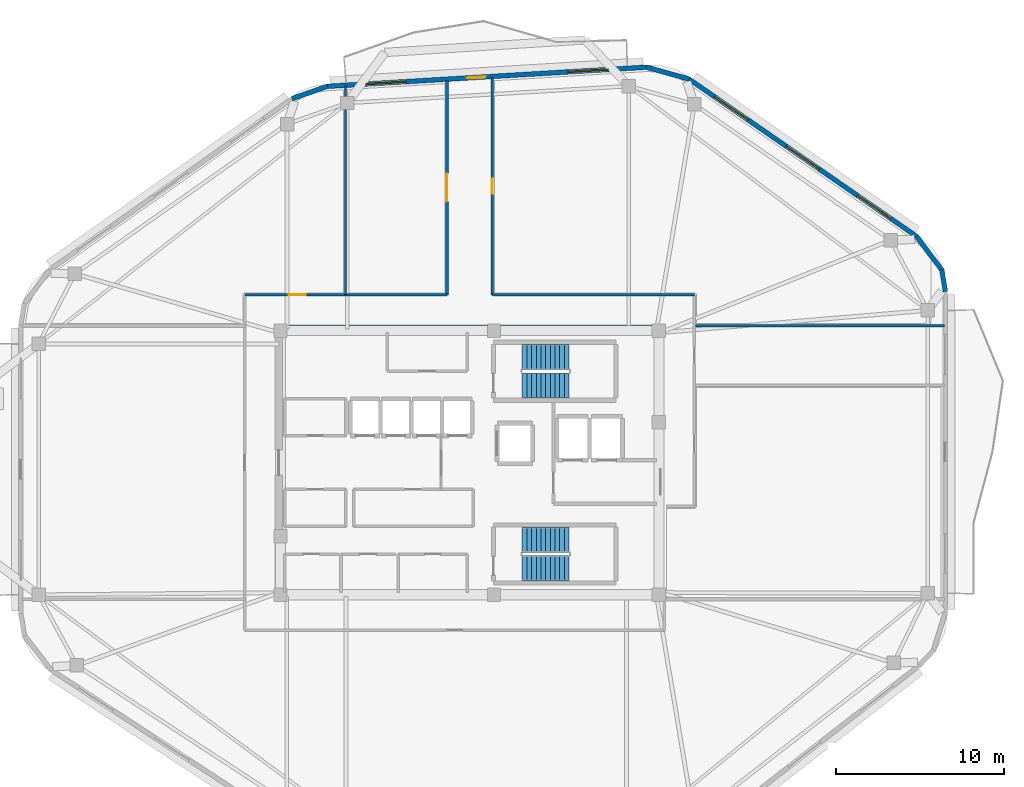
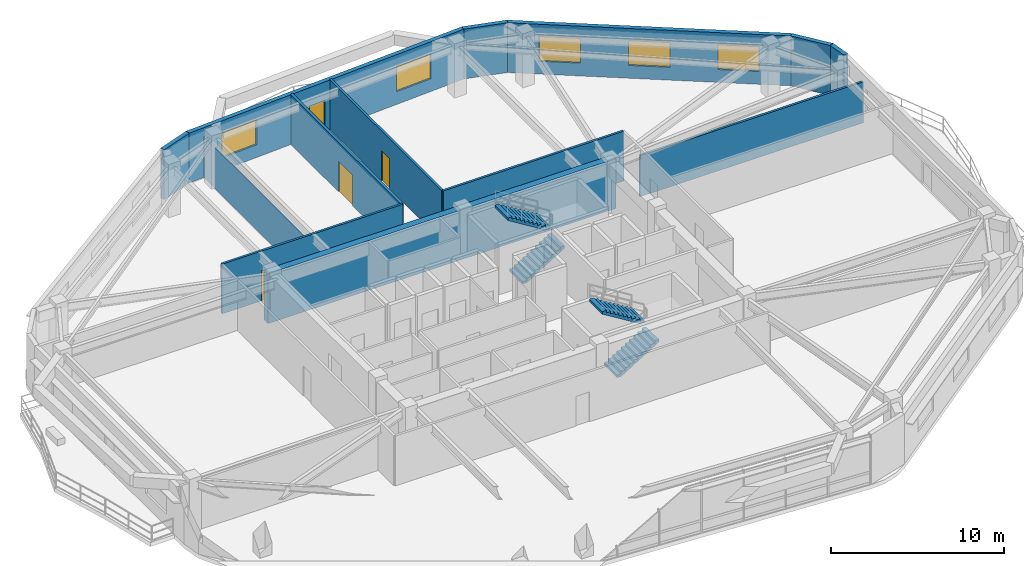
# One storey, part 9 of 12: 13 walls, 5 windows, 4 doors, 4 stair flights, 9 openings, 2 elements without a shape of their own.
"""IFC4 building model written with IfcOpenShell, lengths in metres."""

from ifc_helpers import new_model, si_unit, direction, frame, frame_2d, origin, place, context, subcontext, project, spatial, polyline, rectangle, outline, extrude, material, layer, layer_set, type_object, element, fill, aggregate, save


model = new_model("IFC4")

# Units and contexts
model_context = context("Model", 3, precision=1e-05, world=origin(), true_north=direction((0.0, 1.0)))
body_context = subcontext(model_context, "Body", "Model", "MODEL_VIEW")
ifc_project = project(units=[si_unit("LENGTHUNIT", "METRE"), si_unit("AREAUNIT", "SQUARE_METRE"), si_unit("VOLUMEUNIT", "CUBIC_METRE"), si_unit("PLANEANGLEUNIT", "RADIAN"), si_unit("MASSUNIT", "GRAM", prefix="KILO")], contexts=[model_context])

# Site, building, storey
site_placement = place(None, origin())
site = spatial("IfcSite", under=ifc_project, at=site_placement, CompositionType="ELEMENT")
building_placement = place(site_placement, origin())
building = spatial("IfcBuilding", under=site, at=building_placement, Name="Zulverin Broadcast Headquarters", CompositionType="ELEMENT")
storey_placement = place(building_placement, frame((0.0, 0.0, 255.39990234375)))
storey = spatial("IfcBuildingStorey", under=building, at=storey_placement, Name="L65", CompositionType="ELEMENT", Elevation=255.39990234375)

# Wall
ifc_material_1 = material(Name="Concrete C50/60", Category="concrete")
ifc_layer_1 = layer(ifc_material_1, 0.449951171875, Name="Concrete C50/60", Category="concrete")
ifc_layer_set_1 = layer_set([ifc_layer_1], Name="Concrete C50/60")
wall_type_1 = type_object("IfcWallType", Name="WL-CORE-450", PredefinedType="SHEAR", material=ifc_layer_set_1)
wall_1_placement = place(storey_placement, frame((25.39990234375, 33.175048828125, 0.0), z_axis=(0.0, 0.0, 1.0), x_axis=(1.0, 0.0, 0.0)))
element("IfcWall", 1, at=wall_1_placement, inside=storey, type_object=wall_type_1, Name="L65 Core North Shear Wall", PredefinedType="SHEAR", context=body_context, shape_type="SweptSolid", body=[
    extrude(rectangle(XDim=23.2001953125, YDim=0.449951171875, at=frame_2d((11.60009765625, 0.0))), origin(), (0.0, 0.0, 1.0), 3.510009765625),
])

# Wall, openings, windows
ifc_material_2 = material(Name="Insulated pale-metal clad concrete spandrel C40/50", Category="concrete")
ifc_layer_2 = layer(ifc_material_2, 0.280029296875, Name="Insulated pale-metal clad concrete spandrel C40/50", Category="concrete")
ifc_layer_set_2 = layer_set([ifc_layer_2], Name="Insulated pale-metal clad concrete spandrel C40/50")
wall_type_2 = type_object("IfcWallType", Name="WL-EXT-280", PredefinedType="STANDARD", material=ifc_layer_set_2)
wall_2_placement = place(storey_placement, frame((63.6513671875, 38.683349609375, 0.0), z_axis=(0.0, 0.0, 1.0), x_axis=(-0.822655095, 0.568540759022, 0.0)))
wall_2 = element("IfcWall", 2, at=wall_2_placement, inside=storey, type_object=wall_type_2, Name="L65 Pale-Metal Clad Spandrel Wall 4", PredefinedType="STANDARD", context=body_context, shape_type="SweptSolid", body=[
    extrude(rectangle(XDim=16.52783203125, YDim=0.280029296875, at=frame_2d((8.263916015625, 0.0))), origin(), (0.0, 0.0, 1.0), 3.510009765625),
])
opening_1_placement = place(wall_2_placement, frame((1.887939453125, 0.0, 0.89990234375)))
opening_1 = element("IfcOpeningElement", 3, at=opening_1_placement, cuts=wall_2, Name="Opening W-L65-E41", PredefinedType="OPENING", context=body_context, shape_type="SweptSolid", body=[
    extrude(rectangle(XDim=2.39990234375, YDim=1.75, at=frame_2d((1.199951171875, 0.875))), frame((0.0, 0.14990234375, 0.0), z_axis=(0.0, -1.0, 0.0), x_axis=(1.0, 0.0, 0.0)), (0.0, 0.0, 1.0), 0.300048828125),
])
opening_2_placement = place(wall_2_placement, frame((7.06396484375, 0.0, 0.89990234375)))
opening_2 = element("IfcOpeningElement", 4, at=opening_2_placement, cuts=wall_2, Name="Opening W-L65-E42", PredefinedType="OPENING", context=body_context, shape_type="SweptSolid", body=[
    extrude(rectangle(XDim=2.39990234375, YDim=1.75, at=frame_2d((1.199951171875, 0.875))), frame((0.0, 0.14990234375, 0.0), z_axis=(0.0, -1.0, 0.0), x_axis=(1.0, 0.0, 0.0)), (0.0, 0.0, 1.0), 0.300048828125),
])
opening_3_placement = place(wall_2_placement, frame((12.239990234375, 0.0, 0.89990234375)))
opening_3 = element("IfcOpeningElement", 5, at=opening_3_placement, cuts=wall_2, Name="Opening W-L65-E43", PredefinedType="OPENING", context=body_context, shape_type="SweptSolid", body=[
    extrude(rectangle(XDim=2.39990234375, YDim=1.75, at=frame_2d((1.199951171875, 0.875))), frame((0.0, 0.14990234375, 0.0), z_axis=(0.0, -1.0, 0.0), x_axis=(1.0, 0.0, 0.0)), (0.0, 0.0, 1.0), 0.300048828125),
])
ifc_material_3 = material(Name="Pale anodized aluminium frame with solar-control low-E double glazing", Category="aluminium")
window_type = type_object("IfcWindowType", Name="WIN-RIB-2400", PartitioningType="SINGLE_PANEL", PredefinedType="WINDOW", material=ifc_material_3)
window_1_placement = place(opening_1_placement, origin())
window_1 = element("IfcWindow", 6, at=window_1_placement, inside=storey, type_object=window_type, Name="L65 Ribbon Glazing Window 4 1", OverallHeight=1.75, OverallWidth=2.39990234375, PartitioningType="SINGLE_PANEL", PredefinedType="WINDOW", context=body_context, shape_type="SweptSolid", body=[
    extrude(rectangle(XDim=2.39990234375, YDim=1.75, at=frame_2d((1.199951171875, 0.875))), frame((0.0, 0.030029296875, 0.0), z_axis=(0.0, -1.0, 0.0), x_axis=(1.0, 0.0, 0.0)), (0.0, 0.0, 1.0), 0.06005859375),
])
fill(opening_1, window_1)
window_2_placement = place(opening_2_placement, origin())
window_2 = element("IfcWindow", 7, at=window_2_placement, inside=storey, type_object=window_type, Name="L65 Ribbon Glazing Window 4 2", OverallHeight=1.75, OverallWidth=2.39990234375, PartitioningType="SINGLE_PANEL", PredefinedType="WINDOW", context=body_context, shape_type="SweptSolid", body=[
    extrude(rectangle(XDim=2.39990234375, YDim=1.75, at=frame_2d((1.199951171875, 0.875))), frame((0.0, 0.030029296875, 0.0), z_axis=(0.0, -1.0, 0.0), x_axis=(1.0, 0.0, 0.0)), (0.0, 0.0, 1.0), 0.06005859375),
])
fill(opening_2, window_2)
window_3_placement = place(opening_3_placement, origin())
window_3 = element("IfcWindow", 8, at=window_3_placement, inside=storey, type_object=window_type, Name="L65 Ribbon Glazing Window 4 3", OverallHeight=1.75, OverallWidth=2.39990234375, PartitioningType="SINGLE_PANEL", PredefinedType="WINDOW", context=body_context, shape_type="SweptSolid", body=[
    extrude(rectangle(XDim=2.39990234375, YDim=1.75, at=frame_2d((1.199951171875, 0.875))), frame((0.0, 0.030029296875, 0.0), z_axis=(0.0, -1.0, 0.0), x_axis=(1.0, 0.0, 0.0)), (0.0, 0.0, 1.0), 0.06005859375),
])
fill(opening_3, window_3)

# Wall, openings, door, windows
wall_3_placement = place(storey_placement, frame((47.56591796875, 48.775390625, 0.0), z_axis=(0.0, 0.0, 1.0), x_axis=(-0.998202767485, -0.059926913695, 0.0)))
wall_3 = element("IfcWall", 9, at=wall_3_placement, inside=storey, type_object=wall_type_2, Name="L65 Pale-Metal Clad Spandrel Wall 5", PredefinedType="STANDARD", context=body_context, shape_type="SweptSolid", body=[
    extrude(rectangle(XDim=19.111083984375, YDim=0.280029296875, at=frame_2d((9.5556640625, 0.0))), origin(), (0.0, 0.0, 1.0), 3.510009765625),
])
opening_4_placement = place(wall_3_placement, frame((9.655517578125, 0.0, 0.0)))
opening_4 = element("IfcOpeningElement", 10, at=opening_4_placement, cuts=wall_3, Name="Opening D-L65-TR5", PredefinedType="OPENING", context=body_context, shape_type="SweptSolid", body=[
    extrude(rectangle(XDim=1.10009765625, YDim=2.199951171875, at=frame_2d((0.550048828125, 1.10009765625))), frame((0.0, 0.14990234375, 0.0), z_axis=(0.0, -1.0, 0.0), x_axis=(1.0, 0.0, 0.0)), (0.0, 0.0, 1.0), 0.300048828125),
])
opening_5_placement = place(wall_3_placement, frame((2.318603515625, 0.0, 0.89990234375)))
opening_5 = element("IfcOpeningElement", 11, at=opening_5_placement, cuts=wall_3, Name="Opening W-L65-E51", PredefinedType="OPENING", context=body_context, shape_type="SweptSolid", body=[
    extrude(rectangle(XDim=2.39990234375, YDim=1.75, at=frame_2d((1.199951171875, 0.875))), frame((0.0, 0.14990234375, 0.0), z_axis=(0.0, -1.0, 0.0), x_axis=(1.0, 0.0, 0.0)), (0.0, 0.0, 1.0), 0.300048828125),
])
opening_6_placement = place(wall_3_placement, frame((14.392333984375, 0.0, 0.89990234375)))
opening_6 = element("IfcOpeningElement", 12, at=opening_6_placement, cuts=wall_3, Name="Opening W-L65-E52", PredefinedType="OPENING", context=body_context, shape_type="SweptSolid", body=[
    extrude(rectangle(XDim=2.39990234375, YDim=1.75, at=frame_2d((1.199951171875, 0.875))), frame((0.0, 0.14990234375, 0.0), z_axis=(0.0, -1.0, 0.0), x_axis=(1.0, 0.0, 0.0)), (0.0, 0.0, 1.0), 0.300048828125),
])
ifc_material_4 = material(Name="Thermally broken aluminium glazed", Category="aluminium")
door_type_1 = type_object("IfcDoorType", Name="DR-TERR-1100", OperationType="SINGLE_SWING_RIGHT", PredefinedType="DOOR", material=ifc_material_4)
door_1_placement = place(opening_4_placement, origin())
door_1 = element("IfcDoor", 13, at=door_1_placement, inside=storey, type_object=door_type_1, Name="L65 Planted Terrace Glazed Access Door 5", OperationType="SINGLE_SWING_RIGHT", OverallHeight=2.199951171875, OverallWidth=1.10009765625, PredefinedType="DOOR", context=body_context, shape_type="SweptSolid", body=[
    extrude(rectangle(XDim=1.10009765625, YDim=2.199951171875, at=frame_2d((0.550048828125, 1.10009765625))), frame((0.0, 0.02490234375, 0.0), z_axis=(0.0, -1.0, 0.0), x_axis=(1.0, 0.0, 0.0)), (0.0, 0.0, 1.0), 0.050048828125),
])
fill(opening_4, door_1)
window_4_placement = place(opening_5_placement, origin())
window_4 = element("IfcWindow", 14, at=window_4_placement, inside=storey, type_object=window_type, Name="L65 Ribbon Glazing Window 5 1", OverallHeight=1.75, OverallWidth=2.39990234375, PartitioningType="SINGLE_PANEL", PredefinedType="WINDOW", context=body_context, shape_type="SweptSolid", body=[
    extrude(rectangle(XDim=2.39990234375, YDim=1.75, at=frame_2d((1.199951171875, 0.875))), frame((0.0, 0.030029296875, 0.0), z_axis=(0.0, -1.0, 0.0), x_axis=(1.0, 0.0, 0.0)), (0.0, 0.0, 1.0), 0.06005859375),
])
fill(opening_5, window_4)
window_5_placement = place(opening_6_placement, origin())
window_5 = element("IfcWindow", 15, at=window_5_placement, inside=storey, type_object=window_type, Name="L65 Ribbon Glazing Window 5 2", OverallHeight=1.75, OverallWidth=2.39990234375, PartitioningType="SINGLE_PANEL", PredefinedType="WINDOW", context=body_context, shape_type="SweptSolid", body=[
    extrude(rectangle(XDim=2.39990234375, YDim=1.75, at=frame_2d((1.199951171875, 0.875))), frame((0.0, 0.030029296875, 0.0), z_axis=(0.0, -1.0, 0.0), x_axis=(1.0, 0.0, 0.0)), (0.0, 0.0, 1.0), 0.06005859375),
])
fill(opening_6, window_5)

# Walls
wall_4_placement = place(storey_placement, frame((65.36181640625, 35.4033203125, 0.0), z_axis=(0.0, 0.0, 1.0), x_axis=(-0.160271674114, 0.987072940809, 0.0)))
element("IfcWall", 16, at=wall_4_placement, inside=storey, type_object=wall_type_2, Name="L65 Wind-Shaped Corner Spandrel Wall 3-1", PredefinedType="STANDARD", context=body_context, shape_type="SweptSolid", body=[
    extrude(rectangle(XDim=1.314697265625, YDim=0.280029296875, at=frame_2d((0.6572265625, 0.0))), origin(), (0.0, 0.0, 1.0), 3.510009765625),
])
wall_5_placement = place(storey_placement, frame((65.17724609375, 36.63916015625, 0.0), z_axis=(0.0, 0.0, 1.0), x_axis=(-0.600436386467, 0.799672524104, 0.0)))
element("IfcWall", 17, at=wall_5_placement, inside=storey, type_object=wall_type_2, Name="L65 Wind-Shaped Corner Spandrel Wall 3-2", PredefinedType="STANDARD", context=body_context, shape_type="SweptSolid", body=[
    extrude(rectangle(XDim=2.595458984375, YDim=0.280029296875, at=frame_2d((1.2978515625, 0.0))), origin(), (0.0, 0.0, 1.0), 3.510009765625),
])
wall_6_placement = place(storey_placement, frame((50.096435546875, 48.060546875, 0.0), z_axis=(0.0, 0.0, 1.0), x_axis=(-0.963108887091, 0.269112005688, 0.0)))
element("IfcWall", 18, at=wall_6_placement, inside=storey, type_object=wall_type_2, Name="L65 Wind-Shaped Corner Spandrel Wall 4-1", PredefinedType="STANDARD", context=body_context, shape_type="SweptSolid", body=[
    extrude(rectangle(XDim=2.67529296875, YDim=0.280029296875, at=frame_2d((1.337646484375, 0.0))), origin(), (0.0, 0.0, 1.0), 3.510009765625),
])
wall_7_placement = place(storey_placement, frame((28.527099609375, 47.6376953125, 0.0), z_axis=(0.0, 0.0, 1.0), x_axis=(-0.943686979207, -0.330839667022, 0.0)))
element("IfcWall", 19, at=wall_7_placement, inside=storey, type_object=wall_type_2, Name="L65 Wind-Shaped Corner Spandrel Wall 5-1", PredefinedType="STANDARD", context=body_context, shape_type="SweptSolid", body=[
    extrude(rectangle(XDim=2.244873046875, YDim=0.280029296875, at=frame_2d((1.12255859375, 0.0))), origin(), (0.0, 0.0, 1.0), 3.510009765625),
])
ifc_material_5 = material(Name="Fire-rated acoustic laminated glass screen", Category="glass")
ifc_layer_3 = layer(ifc_material_5, 0.10009765625, Name="Fire-rated acoustic laminated glass screen", Category="glass")
ifc_layer_set_3 = layer_set([ifc_layer_3], Name="Fire-rated acoustic laminated glass screen")
wall_type_3 = type_object("IfcWallType", Name="WL-GLAZ-100", PredefinedType="PARTITIONING", material=ifc_layer_set_3)
wall_8_placement = place(storey_placement, frame((29.60009765625, 35.199951171875, 0.0), z_axis=(0.0, 0.0, 1.0), x_axis=(0.0, 1.0, 0.0)))
element("IfcWall", 20, at=wall_8_placement, inside=storey, type_object=wall_type_3, Name="L65 Room Partition Wall RP-05", PredefinedType="PARTITIONING", context=body_context, shape_type="SweptSolid", body=[
    extrude(rectangle(XDim=12.43212890625, YDim=0.10009765625, at=frame_2d((6.216064453125, 0.0))), origin(), (0.0, 0.0, 1.0), 2.892822265625),
])

# Wall, opening, door
ifc_material_6 = material(Name="Fire-rated gypsum stud partition", Category="gypsum")
ifc_layer_4 = layer(ifc_material_6, 0.14990234375, Name="Fire-rated gypsum stud partition", Category="gypsum")
ifc_layer_set_4 = layer_set([ifc_layer_4], Name="Fire-rated gypsum stud partition")
wall_type_4 = type_object("IfcWallType", Name="WL-PART-150", PredefinedType="PARTITIONING", material=ifc_layer_set_4)
wall_9_placement = place(storey_placement, frame((38.35009765625, 35.199951171875, 0.0), z_axis=(0.0, 0.0, 1.0), x_axis=(0.0, 1.0, 0.0)))
wall_9 = element("IfcWall", 21, at=wall_9_placement, inside=storey, type_object=wall_type_4, Name="L65 Gallery Partition Wall CG-03", PredefinedType="PARTITIONING", context=body_context, shape_type="SweptSolid", body=[
    extrude(rectangle(XDim=12.95751953125, YDim=0.14990234375, at=frame_2d((6.478759765625, 0.0))), origin(), (0.0, 0.0, 1.0), 3.510009765625),
])
opening_7_placement = place(wall_9_placement, frame((6.02880859375, 0.0, 0.0)))
opening_7 = element("IfcOpeningElement", 22, at=opening_7_placement, cuts=wall_9, Name="Opening D-L65-03", PredefinedType="OPENING", context=body_context, shape_type="SweptSolid", body=[
    extrude(rectangle(XDim=0.89990234375, YDim=2.10009765625, at=frame_2d((0.449951171875, 1.050048828125))), frame((0.0, 0.0849609375, 0.0), z_axis=(0.0, -1.0, 0.0), x_axis=(1.0, 0.0, 0.0)), (0.0, 0.0, 1.0), 0.169921875),
])
ifc_material_7 = material(Name="Fire-rated hardwood veneer timber leaf", Category="wood")
door_type_2 = type_object("IfcDoorType", Name="DR-ROOM-900", OperationType="SINGLE_SWING_RIGHT", PredefinedType="DOOR", material=ifc_material_7)
door_2_placement = place(opening_7_placement, origin())
door_2 = element("IfcDoor", 23, at=door_2_placement, inside=storey, type_object=door_type_2, Name="L65 Panoramic Hospitality Lounge Door", OperationType="SINGLE_SWING_LEFT", OverallHeight=2.10009765625, OverallWidth=0.89990234375, PredefinedType="DOOR", context=body_context, shape_type="SweptSolid", body=[
    extrude(rectangle(XDim=0.89990234375, YDim=2.10009765625, at=frame_2d((0.449951171875, 1.050048828125))), frame((0.0, 0.02490234375, 0.0), z_axis=(0.0, -1.0, 0.0), x_axis=(1.0, 0.0, 0.0)), (0.0, 0.0, 1.0), 0.050048828125),
])
fill(opening_7, door_2)

# Wall
wall_10_placement = place(storey_placement, frame((50.39990234375, 33.35009765625, 0.0), z_axis=(0.0, 0.0, 1.0), x_axis=(1.0, 0.0, 0.0)))
element("IfcWall", 24, at=wall_10_placement, inside=storey, type_object=wall_type_4, Name="L65 Room Partition Wall RP-13", PredefinedType="PARTITIONING", context=body_context, shape_type="SweptSolid", body=[
    extrude(rectangle(XDim=14.89501953125, YDim=0.14990234375, at=frame_2d((7.447509765625, 0.0))), origin(), (0.0, 0.0, 1.0), 2.892822265625),
])

# Wall, opening, door
wall_11_placement = place(storey_placement, frame((23.60009765625, 35.199951171875, 0.0), z_axis=(0.0, 0.0, 1.0), x_axis=(1.0, 0.0, 0.0)))
wall_11 = element("IfcWall", 25, at=wall_11_placement, inside=storey, type_object=wall_type_4, Name="L65 Gallery Partition Wall CG-14", PredefinedType="PARTITIONING", context=body_context, shape_type="SweptSolid", body=[
    extrude(rectangle(XDim=12.0498046875, YDim=0.14990234375, at=frame_2d((6.02490234375, 0.0))), origin(), (0.0, 0.0, 1.0), 3.510009765625),
])
opening_8_placement = place(wall_11_placement, frame((2.6201171875, 0.0, 0.0)))
opening_8 = element("IfcOpeningElement", 26, at=opening_8_placement, cuts=wall_11, Name="Opening D-L65-01", PredefinedType="OPENING", context=body_context, shape_type="SweptSolid", body=[
    extrude(rectangle(XDim=1.0, YDim=2.1201171875, at=frame_2d((0.5, 1.06005859375))), frame((0.0, 0.0849609375, 0.0), z_axis=(0.0, -1.0, 0.0), x_axis=(1.0, 0.0, 0.0)), (0.0, 0.0, 1.0), 0.169921875),
])
ifc_material_8 = material(Name="Hardwood veneer acoustic leaf", Category="wood")
door_type_3 = type_object("IfcDoorType", Name="DR-OFF-1000", OperationType="SINGLE_SWING_LEFT", PredefinedType="DOOR", material=ifc_material_8)
door_3_placement = place(opening_8_placement, origin())
door_3 = element("IfcDoor", 27, at=door_3_placement, inside=storey, type_object=door_type_3, Name="L65 VIP Green Room Office Door", OperationType="SINGLE_SWING_LEFT", OverallHeight=2.1201171875, OverallWidth=1.0, PredefinedType="DOOR", context=body_context, shape_type="SweptSolid", body=[
    extrude(rectangle(XDim=1.0, YDim=2.1201171875, at=frame_2d((0.5, 1.06005859375))), frame((0.0, 0.02490234375, 0.0), z_axis=(0.0, -1.0, 0.0), x_axis=(1.0, 0.0, 0.0)), (0.0, 0.0, 1.0), 0.050048828125),
])
fill(opening_8, door_3)

# Wall
wall_12_placement = place(storey_placement, frame((38.35009765625, 35.199951171875, 0.0), z_axis=(0.0, 0.0, 1.0), x_axis=(1.0, 0.0, 0.0)))
element("IfcWall", 28, at=wall_12_placement, inside=storey, type_object=wall_type_4, Name="L65 Gallery Partition Wall CG-15", PredefinedType="PARTITIONING", context=body_context, shape_type="SweptSolid", body=[
    extrude(rectangle(XDim=12.0498046875, YDim=0.14990234375, at=frame_2d((6.02490234375, 0.0))), origin(), (0.0, 0.0, 1.0), 3.510009765625),
])

# Wall, opening, door
ifc_material_9 = material(Name="Fire-rated acoustic stud wall", Category="gypsum")
ifc_layer_5 = layer(ifc_material_9, 0.175048828125, Name="Fire-rated acoustic stud wall", Category="gypsum")
ifc_layer_set_5 = layer_set([ifc_layer_5], Name="Fire-rated acoustic stud wall")
wall_type_5 = type_object("IfcWallType", Name="WL-PART-175", PredefinedType="PARTITIONING", material=ifc_layer_set_5)
wall_13_placement = place(storey_placement, frame((35.64990234375, 35.199951171875, 0.0), z_axis=(0.0, 0.0, 1.0), x_axis=(0.0, 1.0, 0.0)))
wall_13 = element("IfcWall", 29, at=wall_13_placement, inside=storey, type_object=wall_type_5, Name="L65 Gallery Partition Wall CG-04", PredefinedType="PARTITIONING", context=body_context, shape_type="SweptSolid", body=[
    extrude(rectangle(XDim=12.79541015625, YDim=0.175048828125, at=frame_2d((6.397705078125, 0.0))), origin(), (0.0, 0.0, 1.0), 3.510009765625),
])
opening_9_placement = place(wall_13_placement, frame((5.57275390625, 0.0, 0.0)))
opening_9 = element("IfcOpeningElement", 30, at=opening_9_placement, cuts=wall_13, Name="Opening D-L65-02", PredefinedType="OPENING", context=body_context, shape_type="SweptSolid", body=[
    extrude(rectangle(XDim=1.64990234375, YDim=2.14990234375, at=frame_2d((0.824951171875, 1.074951171875))), frame((0.0, 0.097412109375, 0.0), z_axis=(0.0, -1.0, 0.0), x_axis=(1.0, 0.0, 0.0)), (0.0, 0.0, 1.0), 0.195068359375),
])
ifc_material_10 = material(Name="Fire-rated acoustic double leaf", Category="steel")
door_type_4 = type_object("IfcDoorType", Name="DR-AUD-1650", OperationType="DOUBLE_DOOR_SINGLE_SWING", PredefinedType="DOOR", material=ifc_material_10)
door_4_placement = place(opening_9_placement, origin())
door_4 = element("IfcDoor", 31, at=door_4_placement, inside=storey, type_object=door_type_4, Name="L65 Executive Dining Restaurant Door", OperationType="DOUBLE_DOOR_SINGLE_SWING", OverallHeight=2.14990234375, OverallWidth=1.64990234375, PredefinedType="DOOR", context=body_context, shape_type="SweptSolid", body=[
    extrude(rectangle(XDim=1.64990234375, YDim=2.14990234375, at=frame_2d((0.824951171875, 1.074951171875))), frame((0.0, 0.02490234375, 0.0), z_axis=(0.0, -1.0, 0.0), x_axis=(1.0, 0.0, 0.0)), (0.0, 0.0, 1.0), 0.050048828125),
])
fill(opening_9, door_4)

# Stair, stair flights
ifc_material_11 = material(Name="Concrete C40/50", Category="concrete")
stair_type = type_object("IfcStairType", Name="ST-CORE-1500", PredefinedType="HALF_TURN_STAIR", material=ifc_material_11)
stair_1_placement = place(storey_placement, origin())
stair_1 = element("IfcStair", 32, at=stair_1_placement, inside=storey, type_object=stair_type, Name="L65 Core Exit Stair ST-1", PredefinedType="HALF_TURN_STAIR")
stair_flight_type = type_object("IfcStairFlightType", Name="SF-CORE-1500", PredefinedType="STRAIGHT", material=ifc_material_11)
stair_flight_1_placement = place(storey_placement, frame((40.1298828125, 29.800048828125, 0.0), z_axis=(0.0, 0.0, 1.0), x_axis=(1.0, 0.0, 0.0)))
stair_flight_1 = element("IfcStairFlight", 33, at=stair_flight_1_placement, type_object=stair_flight_type, Name="ST-1 flight 1", NumberOfRisers=11, NumberOfTreads=10, PredefinedType="STRAIGHT", RiserHeight=0.172727273, TreadLength=0.28, context=body_context, shape_type="SweptSolid", body=[
    extrude(outline(polyline([(0.0, 0.0), (0.0, 0.172607421875), (0.280029296875, 0.172607421875), (0.280029296875, 0.345458984375), (0.56005859375, 0.345458984375), (0.56005859375, 0.51806640625), (0.840087890625, 0.51806640625), (0.840087890625, 0.69091796875), (1.1201171875, 0.69091796875), (1.1201171875, 0.863525390625), (1.39990234375, 0.863525390625), (1.39990234375, 1.036376953125), (1.679931640625, 1.036376953125), (1.679931640625, 1.208984375), (1.9599609375, 1.208984375), (1.9599609375, 1.3818359375), (2.239990234375, 1.3818359375), (2.239990234375, 1.554443359375), (2.52001953125, 1.554443359375), (2.52001953125, 1.727294921875), (2.800048828125, 1.727294921875), (2.800048828125, 1.89990234375), (2.800048828125, 1.551025390625), (0.285400390625, 0.0), (0.0, 0.0)])), frame((0.0, 0.75, 0.0), z_axis=(0.0, -1.0, 0.0), x_axis=(1.0, 0.0, 0.0)), (0.0, 0.0, 1.0), 1.5),
])
stair_flight_2_placement = place(storey_placement, frame((42.929931640625, 31.5, 1.900146484375), z_axis=(0.0, 0.0, 1.0), x_axis=(-1.0, 0.0, 0.0)))
stair_flight_2 = element("IfcStairFlight", 34, at=stair_flight_2_placement, type_object=stair_flight_type, Name="ST-1 flight 2", NumberOfRisers=11, NumberOfTreads=10, PredefinedType="STRAIGHT", RiserHeight=0.172727273, TreadLength=0.28, context=body_context, shape_type="SweptSolid", body=[
    extrude(outline(polyline([(0.0, 0.0), (0.0, 0.172607421875), (0.280029296875, 0.172607421875), (0.280029296875, 0.345458984375), (0.56005859375, 0.345458984375), (0.56005859375, 0.51806640625), (0.840087890625, 0.51806640625), (0.840087890625, 0.69091796875), (1.1201171875, 0.69091796875), (1.1201171875, 0.863525390625), (1.39990234375, 0.863525390625), (1.39990234375, 1.036376953125), (1.679931640625, 1.036376953125), (1.679931640625, 1.208984375), (1.9599609375, 1.208984375), (1.9599609375, 1.3818359375), (2.239990234375, 1.3818359375), (2.239990234375, 1.554443359375), (2.52001953125, 1.554443359375), (2.52001953125, 1.727294921875), (2.800048828125, 1.727294921875), (2.800048828125, 1.89990234375), (2.800048828125, 1.551025390625), (0.285400390625, 0.0), (0.0, 0.0)])), frame((0.0, 0.75, 0.0), z_axis=(0.0, -1.0, 0.0), x_axis=(1.0, 0.0, 0.0)), (0.0, 0.0, 1.0), 1.5),
])
aggregate(stair_1, [stair_flight_1, stair_flight_2])

stair_2_placement = place(storey_placement, origin())
stair_2 = element("IfcStair", 35, at=stair_2_placement, inside=storey, type_object=stair_type, Name="L65 Core Exit Stair ST-2", PredefinedType="HALF_TURN_STAIR")
stair_flight_3_placement = place(storey_placement, frame((40.1298828125, 18.89990234375, 0.0), z_axis=(0.0, 0.0, 1.0), x_axis=(1.0, 0.0, 0.0)))
stair_flight_3 = element("IfcStairFlight", 36, at=stair_flight_3_placement, type_object=stair_flight_type, Name="ST-2 flight 1", NumberOfRisers=11, NumberOfTreads=10, PredefinedType="STRAIGHT", RiserHeight=0.172727273, TreadLength=0.28, context=body_context, shape_type="SweptSolid", body=[
    extrude(outline(polyline([(0.0, 0.0), (0.0, 0.172607421875), (0.280029296875, 0.172607421875), (0.280029296875, 0.345458984375), (0.56005859375, 0.345458984375), (0.56005859375, 0.51806640625), (0.840087890625, 0.51806640625), (0.840087890625, 0.69091796875), (1.1201171875, 0.69091796875), (1.1201171875, 0.863525390625), (1.39990234375, 0.863525390625), (1.39990234375, 1.036376953125), (1.679931640625, 1.036376953125), (1.679931640625, 1.208984375), (1.9599609375, 1.208984375), (1.9599609375, 1.3818359375), (2.239990234375, 1.3818359375), (2.239990234375, 1.554443359375), (2.52001953125, 1.554443359375), (2.52001953125, 1.727294921875), (2.800048828125, 1.727294921875), (2.800048828125, 1.89990234375), (2.800048828125, 1.551025390625), (0.285400390625, 0.0), (0.0, 0.0)])), frame((0.0, 0.75, 0.0), z_axis=(0.0, -1.0, 0.0), x_axis=(1.0, 0.0, 0.0)), (0.0, 0.0, 1.0), 1.5),
])
stair_flight_4_placement = place(storey_placement, frame((42.929931640625, 20.60009765625, 1.900146484375), z_axis=(0.0, 0.0, 1.0), x_axis=(-1.0, 0.0, 0.0)))
stair_flight_4 = element("IfcStairFlight", 37, at=stair_flight_4_placement, type_object=stair_flight_type, Name="ST-2 flight 2", NumberOfRisers=11, NumberOfTreads=10, PredefinedType="STRAIGHT", RiserHeight=0.172727273, TreadLength=0.28, context=body_context, shape_type="SweptSolid", body=[
    extrude(outline(polyline([(0.0, 0.0), (0.0, 0.172607421875), (0.280029296875, 0.172607421875), (0.280029296875, 0.345458984375), (0.56005859375, 0.345458984375), (0.56005859375, 0.51806640625), (0.840087890625, 0.51806640625), (0.840087890625, 0.69091796875), (1.1201171875, 0.69091796875), (1.1201171875, 0.863525390625), (1.39990234375, 0.863525390625), (1.39990234375, 1.036376953125), (1.679931640625, 1.036376953125), (1.679931640625, 1.208984375), (1.9599609375, 1.208984375), (1.9599609375, 1.3818359375), (2.239990234375, 1.3818359375), (2.239990234375, 1.554443359375), (2.52001953125, 1.554443359375), (2.52001953125, 1.727294921875), (2.800048828125, 1.727294921875), (2.800048828125, 1.89990234375), (2.800048828125, 1.551025390625), (0.285400390625, 0.0), (0.0, 0.0)])), frame((0.0, 0.75, 0.0), z_axis=(0.0, -1.0, 0.0), x_axis=(1.0, 0.0, 0.0)), (0.0, 0.0, 1.0), 1.5),
])
aggregate(stair_2, [stair_flight_3, stair_flight_4])

save(model, "model.ifc")
